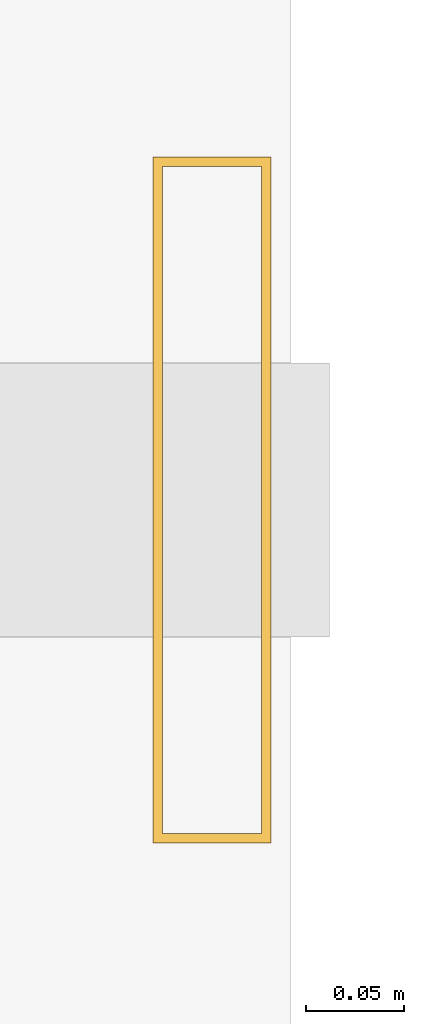
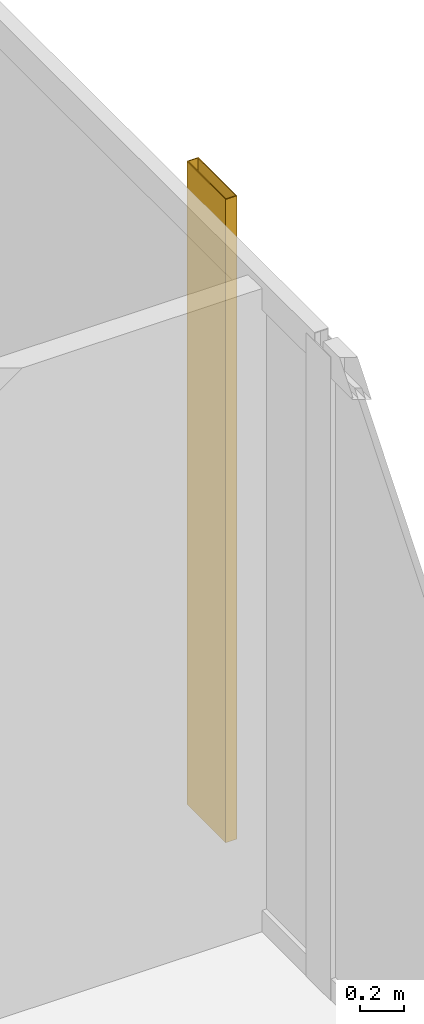
# One storey, part 26 of 26: 1 shading device.
"""IFC4 building model written with IfcOpenShell, lengths in metres."""

from ifc_helpers import new_model, si_unit, direction, frame, origin, origin_2d, place, context, subcontext, project, spatial, hollow_rectangle, extrude, material, material_profile, profile_set, type_object, element, save


model = new_model("IFC4")

# Units and contexts
model_context = context("Model", 3, precision=1e-05, world=origin(), true_north=direction((0.0, 1.0)))
body_context = subcontext(model_context, "Body", "Model", "MODEL_VIEW")
ifc_project = project(units=[si_unit("LENGTHUNIT", "METRE"), si_unit("AREAUNIT", "SQUARE_METRE"), si_unit("VOLUMEUNIT", "CUBIC_METRE"), si_unit("PLANEANGLEUNIT", "RADIAN"), si_unit("MASSUNIT", "GRAM", prefix="KILO")], contexts=[model_context])

# Site, building, storey
site_placement = place(None, origin())
site = spatial("IfcSite", under=ifc_project, at=site_placement, CompositionType="ELEMENT")
building_placement = place(site_placement, origin())
building = spatial("IfcBuilding", under=site, at=building_placement, Name="Kolvaren Waterfront Exchange", CompositionType="ELEMENT")
storey_placement = place(building_placement, frame((0.0, 0.0, 125.89990234375)))
storey = spatial("IfcBuildingStorey", under=building, at=storey_placement, Name="L32", CompositionType="ELEMENT", Elevation=125.89990234375)

# Shading device
ifc_material = material(Name="Anodised bronze aluminium 6063-T6", Category="aluminium")
ifc_material_profile = material_profile(ifc_material, hollow_rectangle(XDim=0.06005859375, YDim=0.35009765625, WallThickness=0.0048828125, at=origin_2d()), Name="BRZ-FIN-350x60x5")
ifc_profile_set = profile_set([ifc_material_profile], Name="Anodised bronze aluminium 6063-T6")
shading_device_type = type_object("IfcShadingDeviceType", Name="ARC-FIN-350", PredefinedType="USERDEFINED", material=ifc_profile_set)
shading_device_placement = place(storey_placement, frame((23.9599609375, 37.60009765625, 0.0), z_axis=(0.0, 0.0, 1.0), x_axis=(1.0, 0.0, 0.0)))
element("IfcShadingDevice", 1, at=shading_device_placement, inside=storey, type_object=shading_device_type, Name="L32 anodised bronze solar shading fin FIN-L32-E3", ObjectType="SOLAR FIN", PredefinedType="USERDEFINED", context=body_context, shape_type="SweptSolid", body=[
    extrude(hollow_rectangle(XDim=0.06005859375, YDim=0.35009765625, WallThickness=0.0048828125, at=origin_2d()), origin(), (0.0, 0.0, 1.0), 3.5400390625),
])

save(model, "model.ifc")
